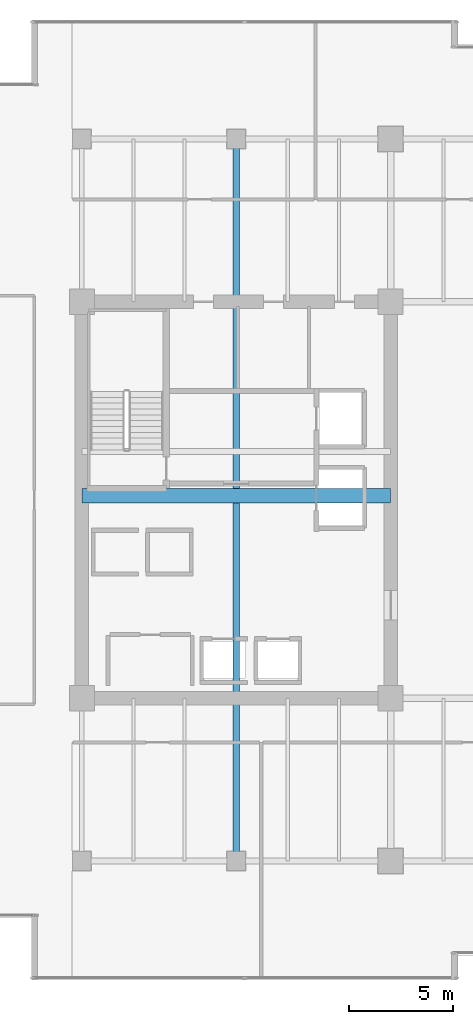
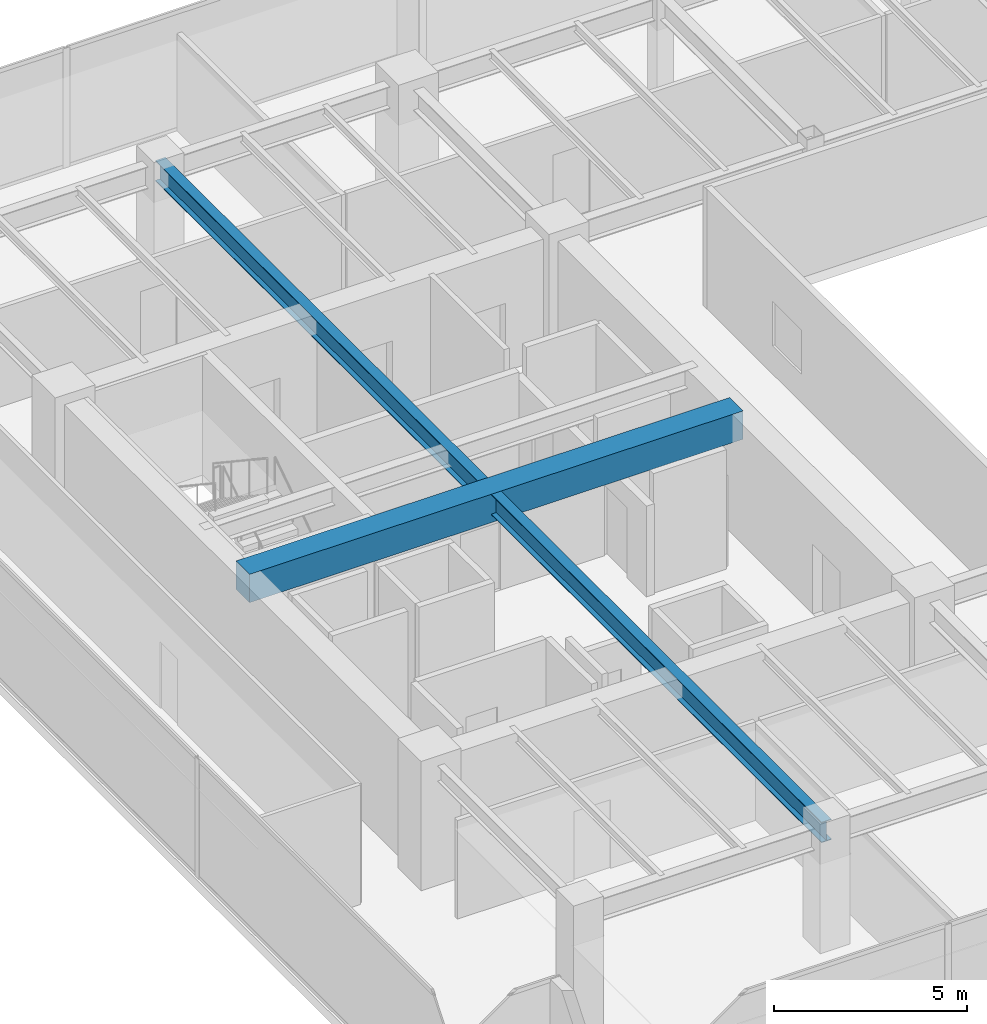
# One storey, part 7 of 33: 2 beams.
"""IFC4 building model written with IfcOpenShell, lengths in metres."""

from ifc_helpers import new_model, si_unit, direction, frame, origin, origin_2d, place, context, subcontext, project, spatial, rectangle, i_section, extrude, source, transform, mapped, material, material_profile, profile_set, type_object, type_shapes, element, save


model = new_model("IFC4")

# Units and contexts
model_context = context("Model", 3, precision=1e-05, world=origin(), true_north=direction((0.0, 1.0)))
body_context = subcontext(model_context, "Body", "Model", "MODEL_VIEW")
ifc_project = project(units=[si_unit("LENGTHUNIT", "METRE"), si_unit("AREAUNIT", "SQUARE_METRE"), si_unit("VOLUMEUNIT", "CUBIC_METRE"), si_unit("PLANEANGLEUNIT", "RADIAN"), si_unit("MASSUNIT", "GRAM", prefix="KILO")], contexts=[model_context])

# Site, building, storey
site_placement = place(None, origin())
site = spatial("IfcSite", under=ifc_project, at=site_placement, CompositionType="ELEMENT")
building_placement = place(site_placement, origin())
building = spatial("IfcBuilding", under=site, at=building_placement, Name="Haelvirn Gate Laboratories", CompositionType="ELEMENT")
storey_placement = place(building_placement, frame((0.0, 0.0, 117.39990234375)))
storey = spatial("IfcBuildingStorey", under=building, at=storey_placement, Name="L28", CompositionType="ELEMENT", Elevation=117.39990234375)

# Beams
ifc_material_1 = material(Name="Concrete C60/75", Category="concrete")
ifc_material_profile_1 = material_profile(ifc_material_1, rectangle(XDim=0.699951171875, YDim=0.89990234375, at=origin_2d()), Name="RCB-700x900")
ifc_profile_set_1 = profile_set([ifc_material_profile_1], Name="Concrete C60/75")
beam_type_1 = type_object("IfcBeamType", Name="BM-RCB-900", PredefinedType="LINTEL", material=ifc_profile_set_1)
shared_shape_1 = source(origin(), body_context, "Body", "SweptSolid", [
    extrude(rectangle(XDim=0.699951171875, YDim=0.89990234375, at=origin_2d()), origin(), (0.0, 0.0, 1.0), 14.800048828125),
])
type_shapes(beam_type_1, [shared_shape_1])
beam_1_placement = place(storey_placement, frame((7.39990234375, 24.5, 3.340087890625), z_axis=(1.0, 0.0, 0.0), x_axis=(0.0, 1.0, 0.0)))
element("IfcBeam", 1, at=beam_1_placement, inside=storey, type_object=beam_type_1, Name="L28 West Core Coupling Beam", PredefinedType="LINTEL", context=body_context, shape_type="MappedRepresentation", body=[
    mapped(shared_shape_1, transform((0.0, 0.0, 0.0), scale=1.0)),
])
ifc_material_2 = material(Name="Steel SM355", Category="steel")
ifc_material_profile_2 = material_profile(ifc_material_2, i_section(OverallWidth=0.300048828125, OverallDepth=0.64990234375, WebThickness=0.012939453125, FlangeThickness=0.02197265625, at=origin_2d()), Name="H-650x300x13x22")
ifc_profile_set_2 = profile_set([ifc_material_profile_2], Name="Steel SM355")
beam_type_2 = type_object("IfcBeamType", Name="BM-G-650", PredefinedType="BEAM", material=ifc_profile_set_2)
shared_shape_2 = source(origin(), body_context, "Body", "SweptSolid", [
    extrude(i_section(OverallWidth=0.300048828125, OverallDepth=0.64990234375, WebThickness=0.012939453125, FlangeThickness=0.02197265625, at=origin_2d()), origin(), (0.0, 0.0, 1.0), 34.60009765625),
])
type_shapes(beam_type_2, [shared_shape_2])
beam_2_placement = place(storey_placement, frame((14.800048828125, 7.0, 3.465087890625), z_axis=(0.0, 1.0, 0.0), x_axis=(-1.0, 0.0, 0.0)))
element("IfcBeam", 2, at=beam_2_placement, inside=storey, type_object=beam_type_2, Name="L28 Frame Girder X14.8 (7.0-41.6)", PredefinedType="BEAM", context=body_context, shape_type="MappedRepresentation", body=[
    mapped(shared_shape_2, transform((0.0, 0.0, 0.0), scale=1.0)),
])

save(model, "model.ifc")
